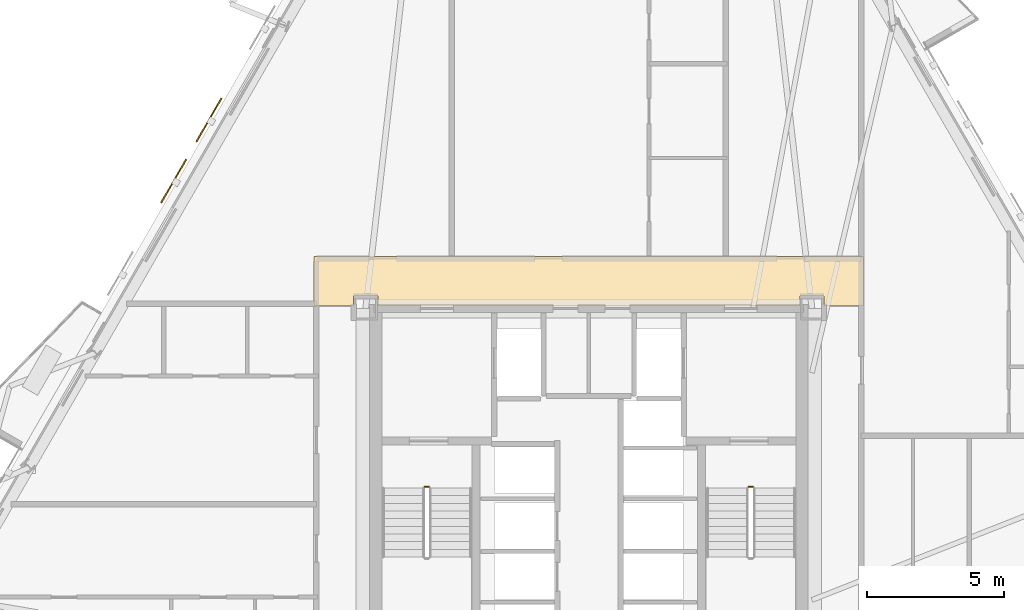
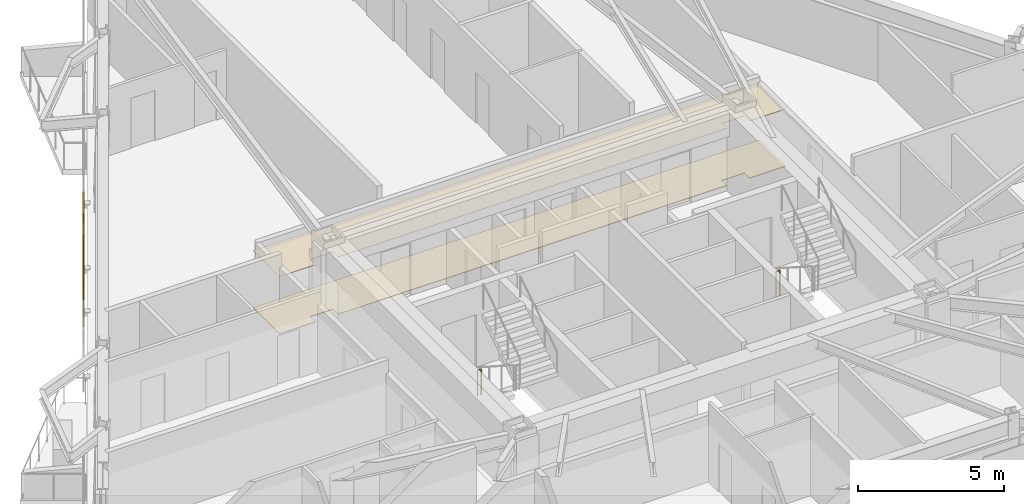
# One storey, part 9 of 10: 2 coverings, 2 railings, 2 shading devices.
"""IFC4 building model written with IfcOpenShell, lengths in metres."""

from ifc_helpers import new_model, si_unit, direction, frame, origin, origin_2d, place, context, subcontext, project, spatial, polyline, rectangle, circle, outline, extrude, material, layer, layer_set, type_object, element, save


model = new_model("IFC4")

# Units and contexts
model_context = context("Model", 3, precision=1e-05, world=origin(), true_north=direction((0.0, 1.0)))
body_context = subcontext(model_context, "Body", "Model", "MODEL_VIEW")
ifc_project = project(units=[si_unit("LENGTHUNIT", "METRE"), si_unit("AREAUNIT", "SQUARE_METRE"), si_unit("VOLUMEUNIT", "CUBIC_METRE"), si_unit("PLANEANGLEUNIT", "RADIAN"), si_unit("MASSUNIT", "GRAM", prefix="KILO")], contexts=[model_context])

# Site, building, storey
site_placement = place(None, origin())
site = spatial("IfcSite", under=ifc_project, at=site_placement, CompositionType="ELEMENT")
building_placement = place(site_placement, origin())
building = spatial("IfcBuilding", under=site, at=building_placement, Name="Oramaril Tower", CompositionType="ELEMENT")
storey_placement = place(building_placement, frame((0.0, 0.0, 96.89990234375)))
storey = spatial("IfcBuildingStorey", under=building, at=storey_placement, Name="L25", CompositionType="ELEMENT", Elevation=96.89990234375)

# Coverings
ifc_material_1 = material(Name="Mineral Fibre Acoustic Ceiling")
ifc_layer_1 = layer(ifc_material_1, 0.02001953125)
ifc_layer_set_1 = layer_set([ifc_layer_1], Name="CVT-CEIL")
covering_type_1 = type_object("IfcCoveringType", Name="CVT-CEIL", PredefinedType="CEILING", material=ifc_layer_set_1)
covering_1_placement = place(storey_placement, frame((0.0, 0.0, 2.400146484375)))
element("IfcCovering", 1, at=covering_1_placement, inside=storey, type_object=covering_type_1, Name="L25 Acoustic Suspended Ceiling 2", PredefinedType="CEILING", context=body_context, shape_type="SweptSolid", body=[
    extrude(outline(polyline([(47.530029296875, 24.239990234375), (46.094970703125, 24.239990234375), (46.094970703125, 24.594970703125), (45.205078125, 24.594970703125), (45.205078125, 24.25), (29.794921875, 24.25), (29.794921875, 24.594970703125), (28.905029296875, 24.594970703125), (28.905029296875, 24.239990234375), (27.469970703125, 24.239990234375), (27.469970703125, 26.050048828125), (47.530029296875, 26.050048828125), (47.530029296875, 24.239990234375)])), origin(), (0.0, 0.0, 1.0), 0.02001953125),
])
ifc_material_2 = material(Name="Honed Quartzite Stone Flooring", Category="masonry")
ifc_layer_2 = layer(ifc_material_2, 0.02490234375)
ifc_layer_set_2 = layer_set([ifc_layer_2], Name="CVT-FLR")
covering_type_2 = type_object("IfcCoveringType", Name="CVT-FLR", PredefinedType="FLOORING", material=ifc_layer_set_2)
covering_2_placement = place(storey_placement, origin())
element("IfcCovering", 2, at=covering_2_placement, inside=storey, type_object=covering_type_2, Name="L25 Honed Stone Floor Finish 2", PredefinedType="FLOORING", context=body_context, shape_type="SweptSolid", body=[
    extrude(outline(polyline([(47.530029296875, 24.239990234375), (46.094970703125, 24.239990234375), (46.094970703125, 24.594970703125), (45.205078125, 24.594970703125), (45.205078125, 24.25), (29.794921875, 24.25), (29.794921875, 24.594970703125), (28.905029296875, 24.594970703125), (28.905029296875, 24.239990234375), (27.469970703125, 24.239990234375), (27.469970703125, 26.050048828125), (47.530029296875, 26.050048828125), (47.530029296875, 24.239990234375)])), origin(), (0.0, 0.0, 1.0), 0.025146484375),
])

# Railings
ifc_material_3 = material(Name="Stainless Steel 316L", Category="steel")
railing_type = type_object("IfcRailingType", Name="RLT-GRD", PredefinedType="GUARDRAIL", material=ifc_material_3)
for number, where, name in (
    (3, (31.510009765625, 17.639892578125, 0.0), "L25 ST-1 stair guard 4"),
    (4, (43.340087890625, 17.639892578125, 0.0), "L25 ST-2 stair guard 4"),
):
    element("IfcRailing", number, at=place(storey_placement, frame(where)), inside=storey, type_object=railing_type, Name=name, PredefinedType="GUARDRAIL", context=body_context, shape_type="SweptSolid", body=[
        extrude(circle(Radius=0.02392578125, at=origin_2d()), frame((0.0, 0.0, 1.076171875), z_axis=(1.0, 0.0, 0.0), x_axis=(0.0, 1.0, 0.0)), (0.0, 0.0, 1.0), 0.14990234375),
        extrude(circle(Radius=0.02099609375, at=origin_2d()), origin(), (0.0, 0.0, 1.0), 1.052001953125),
        extrude(circle(Radius=0.02099609375, at=origin_2d()), frame((0.14990234375, 0.0, 0.0)), (0.0, 0.0, 1.0), 1.052001953125),
    ])

# Shading devices
for number, where, z_axis, x_axis, name in (
    (5, (23.62646484375, 31.032958984375, -0.02001953125), (0.0, 0.0, 1.0), (-0.5, -0.866025403784, 0.0), "L25 Perforated Ceramic Solar Screen"),
    (6, (22.33935546875, 28.8037109375, -0.02001953125), (0.0, 0.0, 1.0), (-0.5, -0.866025403784, 0.0), "L25 Perforated Ceramic Solar Screen"),
):
    element("IfcShadingDevice", number, at=place(storey_placement, frame(where, z_axis=z_axis, x_axis=x_axis)), inside=storey, Name=name, ObjectType="SCREEN", PredefinedType="USERDEFINED", context=body_context, shape_type="SweptSolid", body=[
        extrude(rectangle(XDim=1.8330078125, YDim=0.050048828125, at=origin_2d()), origin(), (0.0, 0.0, 1.0), 2.577880859375),
    ])

save(model, "model.ifc")
